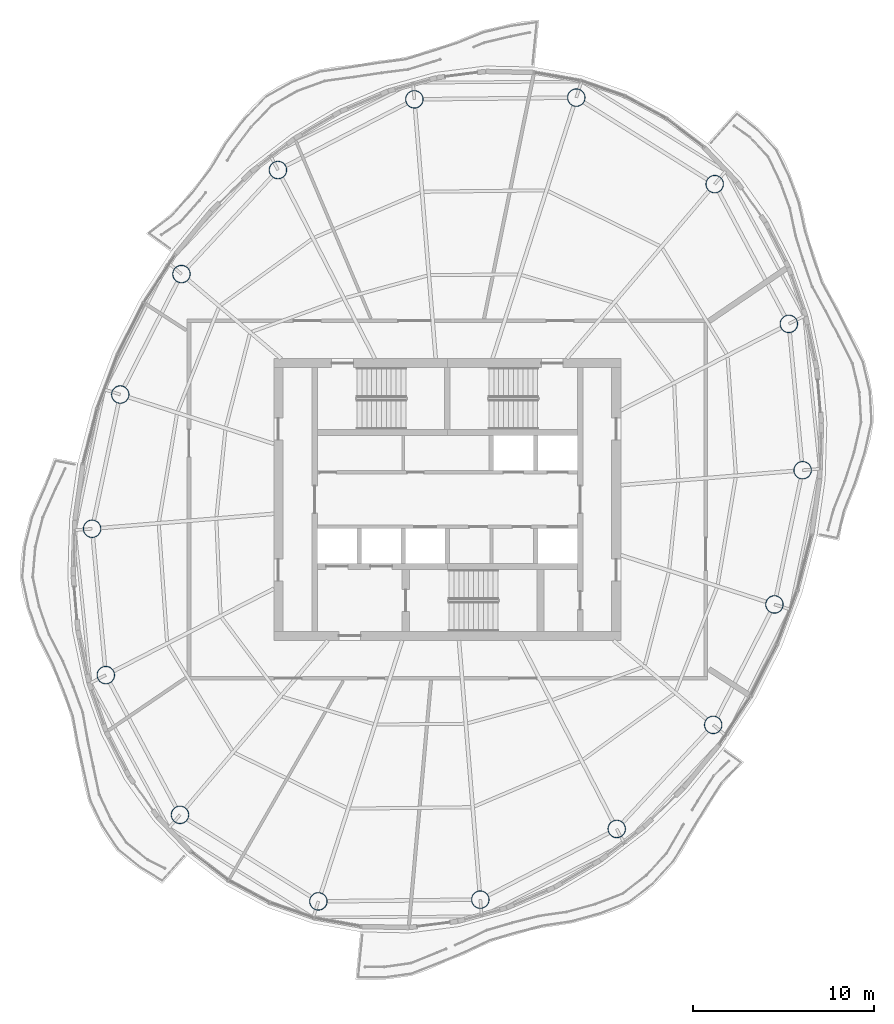
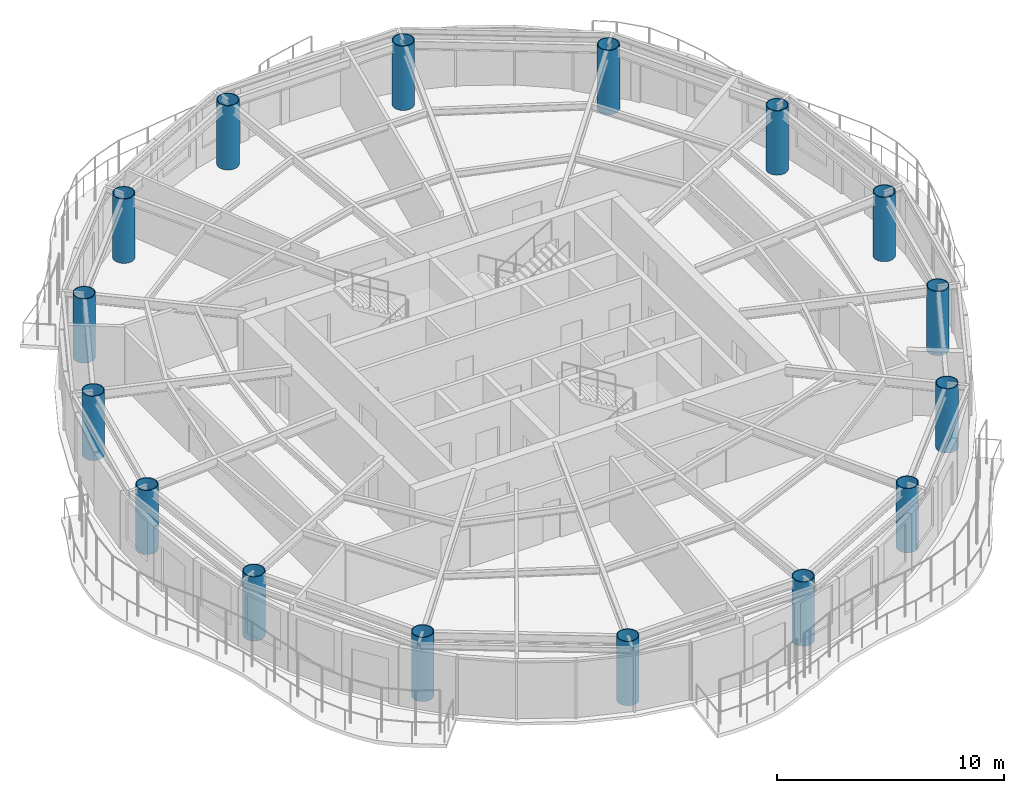
# One storey, part 1 of 13: 16 columns.
"""IFC4 building model written with IfcOpenShell, lengths in metres."""

from ifc_helpers import new_model, si_unit, direction, frame, origin, origin_2d, place, context, subcontext, project, spatial, hollow_circle, extrude, material, material_profile, profile_set, type_object, element, save


model = new_model("IFC4")

# Units and contexts
model_context = context("Model", 3, precision=1e-05, world=origin(), true_north=direction((0.0, 1.0)))
body_context = subcontext(model_context, "Body", "Model", "MODEL_VIEW")
ifc_project = project(units=[si_unit("LENGTHUNIT", "METRE"), si_unit("AREAUNIT", "SQUARE_METRE"), si_unit("VOLUMEUNIT", "CUBIC_METRE"), si_unit("PLANEANGLEUNIT", "RADIAN"), si_unit("MASSUNIT", "GRAM", prefix="KILO")], contexts=[model_context])

# Site, building, storey
site_placement = place(None, origin())
site = spatial("IfcSite", under=ifc_project, at=site_placement, CompositionType="ELEMENT")
building_placement = place(site_placement, origin())
building = spatial("IfcBuilding", under=site, at=building_placement, Name="Vermilion Reach Broadcast Tower", CompositionType="ELEMENT")
storey_placement = place(building_placement, frame((0.0, 0.0, 297.300048828125)))
storey = spatial("IfcBuildingStorey", under=building, at=storey_placement, Name="L74", CompositionType="ELEMENT", Elevation=297.300048828125)

# Columns
ifc_material = material(Name="Concrete C60 infill in steel S460NL tube", Category="concrete")
ifc_material_profile = material_profile(ifc_material, hollow_circle(Radius=0.5, WallThickness=0.0400390625, at=origin_2d()), Name="Concrete C60 infill in steel S460NL tube CFT 1000x40")
ifc_profile_set = profile_set([ifc_material_profile], Name="Concrete C60 infill in steel S460NL tube")
column_type = type_object("IfcColumnType", Name="MC5 CFT 1000x40", PredefinedType="COLUMN", material=ifc_profile_set)
for number, where, z_axis, x_axis, name in (
    (1, (1.138427734375, 22.2470703125, 0.0), (0.0, 0.0, 1.0), (1.0, 0.0, 0.0), "Mega-column MC5-01"),
    (2, (-7.824951171875, 22.1494140625, 0.0), (0.0, 0.0, 1.0), (1.0, 0.0, 0.0), "Mega-column MC5-02"),
    (3, (-15.376953125, 18.23779296875, 0.0), (0.0, 0.0, 1.0), (1.0, 0.0, 0.0), "Mega-column MC5-03"),
    (4, (-20.717529296875, 12.476806640625, 0.0), (0.0, 0.0, 1.0), (1.0, 0.0, 0.0), "Mega-column MC5-04"),
    (5, (-24.10595703125, 5.809814453125, 0.0), (0.0, 0.0, 1.0), (1.0, 0.0, 0.0), "Mega-column MC5-05"),
    (6, (-25.665771484375, -1.620361328125, 0.0), (0.0, 0.0, 1.0), (1.0, 0.0, 0.0), "Mega-column MC5-06"),
    (7, (-24.905517578125, -9.72021484375, 0.0), (0.0, 0.0, 1.0), (1.0, 0.0, 0.0), "Mega-column MC5-07"),
    (8, (-20.799560546875, -17.457275390625, 0.0), (0.0, 0.0, 1.0), (1.0, 0.0, 0.0), "Mega-column MC5-08"),
    (9, (-13.138427734375, -22.2470703125, 0.0), (0.0, 0.0, 1.0), (1.0, 0.0, 0.0), "Mega-column MC5-09"),
    (10, (-4.175048828125, -22.1494140625, 0.0), (0.0, 0.0, 1.0), (1.0, 0.0, 0.0), "Mega-column MC5-10"),
    (11, (3.376953125, -18.23779296875, 0.0), (0.0, 0.0, 1.0), (1.0, 0.0, 0.0), "Mega-column MC5-11"),
    (12, (8.717529296875, -12.476806640625, 0.0), (0.0, 0.0, 1.0), (1.0, 0.0, 0.0), "Mega-column MC5-12"),
    (13, (12.10595703125, -5.809814453125, 0.0), (0.0, 0.0, 1.0), (1.0, 0.0, 0.0), "Mega-column MC5-13"),
    (14, (13.665771484375, 1.620361328125, 0.0), (0.0, 0.0, 1.0), (1.0, 0.0, 0.0), "Mega-column MC5-14"),
    (15, (12.905517578125, 9.72021484375, 0.0), (0.0, 0.0, 1.0), (1.0, 0.0, 0.0), "Mega-column MC5-15"),
    (16, (8.799560546875, 17.457275390625, 0.0), (0.0, 0.0, 1.0), (1.0, 0.0, 0.0), "Mega-column MC5-16"),
):
    element("IfcColumn", number, at=place(storey_placement, frame(where, z_axis=z_axis, x_axis=x_axis)), inside=storey, type_object=column_type, Name=name, PredefinedType="COLUMN", context=body_context, shape_type="SweptSolid", body=[
        extrude(hollow_circle(Radius=0.5, WallThickness=0.0400390625, at=origin_2d()), origin(), (0.0, 0.0, 1.0), 3.449951171875),
    ])

save(model, "model.ifc")
